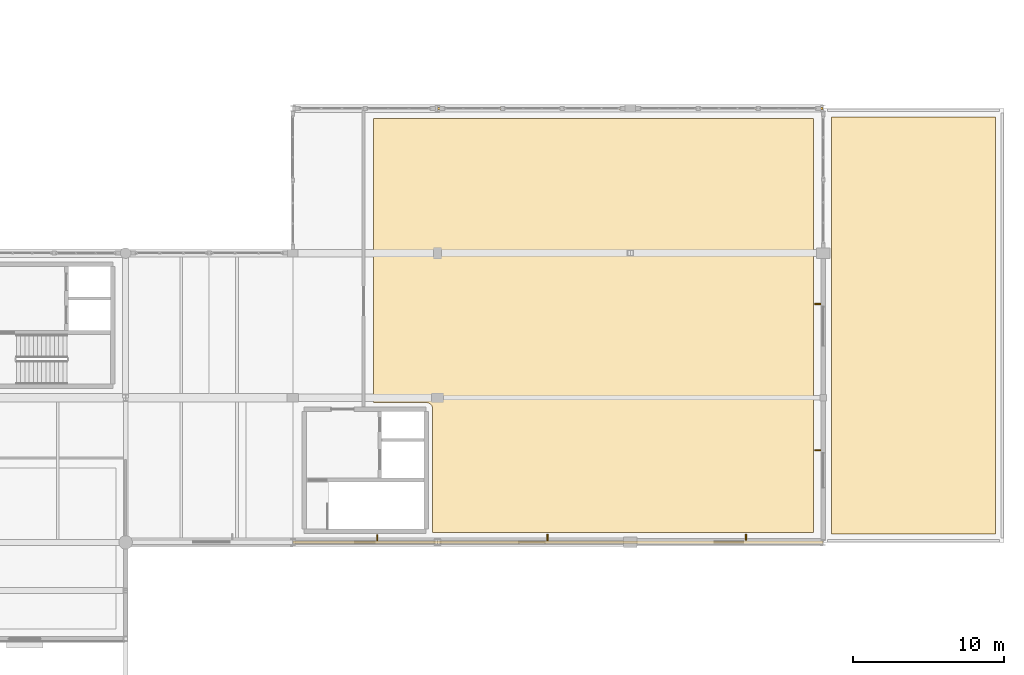
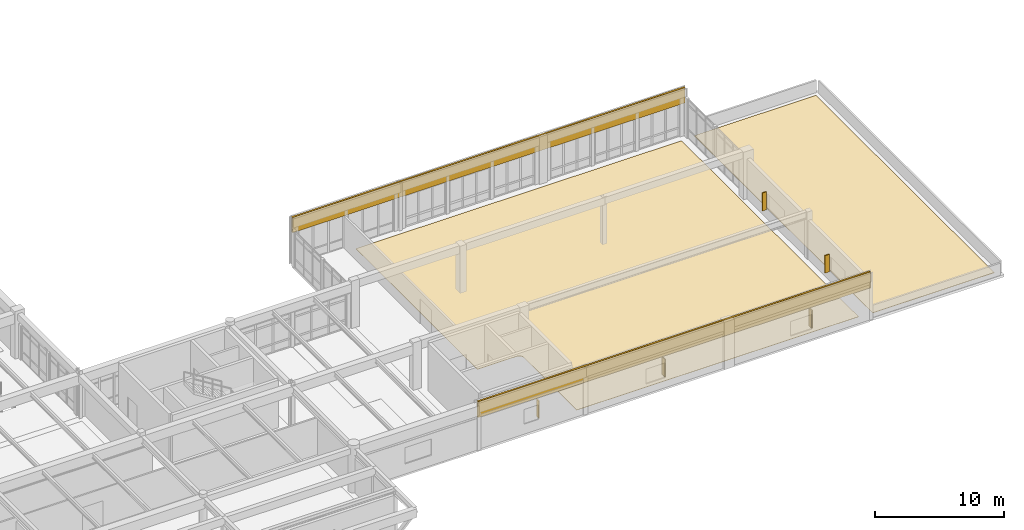
# One storey, part 79 of 80: 5 shading devices, 4 coverings.
"""IFC4 building model written with IfcOpenShell, lengths in metres."""

import ifcopenshell
import ifcopenshell.guid

model = None  # the IFC model being written
_history = None  # IfcOwnerHistory: only IFC2X3 demands one
_inside = {}  # id of a spatial element -> (the spatial element, [elements in it])
_under = {}  # id of a project, library or spatial element -> (it, [spatial elements below it])
_declared = {}  # id of a project -> (the project, [libraries it declares])
_typed = {}  # id of a type object -> (the type object, [elements of that type])
_made_of = {}  # id of a material, layer set ... -> (it, [elements and type objects made of it])


def new_model(schema):
    """Start an empty IFC model of exactly this schema.

    Asked for "IFC4X3", IfcOpenShell would pick the latest addendum, in which some entities
    have other attributes; the version numbers below select the first issue.
    IFC2X3 requires an IfcOwnerHistory on every rooted entity: one is made here for all.
    """
    global model, _history
    if schema == "IFC4X3":
        model = ifcopenshell.file(schema_version=(4, 3, 0, 0))
    else:
        model = ifcopenshell.file(schema=schema)
    _inside.clear()
    _under.clear()
    _declared.clear()
    _typed.clear()
    _made_of.clear()
    _history = None
    if model.schema == "IFC2X3":
        org = make("IfcOrganization", Name="unknown")
        user = make(
            "IfcPersonAndOrganization",
            ThePerson=make("IfcPerson", FamilyName="unknown"),
            TheOrganization=org,
        )
        app = make(
            "IfcApplication",
            ApplicationDeveloper=org,
            Version="unknown",
            ApplicationFullName="unknown",
            ApplicationIdentifier="unknown",
        )
        _history = make(
            "IfcOwnerHistory",
            OwningUser=user,
            OwningApplication=app,
            ChangeAction="ADDED",
            CreationDate=0,
        )
    return model


def make(cls, **values):
    """One entity of the class cls with the attributes given. An attribute that is None is left unset."""
    return model.create_entity(
        cls, **{name: value for name, value in values.items() if value is not None}
    )


def rooted(cls, **values):
    """An entity with a GlobalId (a new one), such as an element, a storey or a relation."""
    return make(cls, GlobalId=ifcopenshell.guid.new(), OwnerHistory=_history, **values)


def si_unit(unit_type, name, prefix=None):
    """IfcSIUnit, for example si_unit("LENGTHUNIT", "METRE", prefix="MILLI")."""
    return make("IfcSIUnit", UnitType=unit_type, Prefix=prefix, Name=name)


def assignment(units):
    """IfcUnitAssignment: the units of a project."""
    return None if units is None else make("IfcUnitAssignment", Units=units)


def point(xyz):
    """IfcCartesianPoint."""
    return None if xyz is None else make("IfcCartesianPoint", Coordinates=xyz)


def direction(xyz):
    """IfcDirection."""
    return None if xyz is None else make("IfcDirection", DirectionRatios=xyz)


def frame(location, z_axis=None, x_axis=None):
    """IfcAxis2Placement3D, a coordinate frame: its origin and axes. An axis left out is left unset."""
    return make(
        "IfcAxis2Placement3D",
        Location=point(location),
        Axis=direction(z_axis),
        RefDirection=direction(x_axis),
    )


def frame_2d(location, x_axis=None):
    """IfcAxis2Placement2D, a coordinate frame in the plane: its origin and x axis."""
    return make(
        "IfcAxis2Placement2D", Location=point(location), RefDirection=direction(x_axis)
    )


def origin():
    """The frame at (0, 0, 0) with its axes left unset."""
    return frame((0.0, 0.0, 0.0))


def origin_2d():
    """The frame at (0, 0) in the plane with its x axis left unset."""
    return frame_2d((0.0, 0.0))


def place(relative_to, where):
    """IfcLocalPlacement: puts the frame where relative to a parent placement (None: the world)."""
    return make(
        "IfcLocalPlacement", PlacementRelTo=relative_to, RelativePlacement=where
    )


def context(
    kind, dimensions, precision=None, world=None, true_north=None, identifier=None
):
    """IfcGeometricRepresentationContext, for example the 3D "Model" context."""
    return make(
        "IfcGeometricRepresentationContext",
        ContextIdentifier=identifier,
        ContextType=kind,
        CoordinateSpaceDimension=dimensions,
        Precision=precision,
        WorldCoordinateSystem=world,
        TrueNorth=true_north,
    )


def subcontext(parent, identifier, kind, view, scale=None):
    """IfcGeometricRepresentationSubContext, for example "Body" below "Model"."""
    return make(
        "IfcGeometricRepresentationSubContext",
        ContextIdentifier=identifier,
        ContextType=kind,
        ParentContext=parent,
        TargetScale=scale,
        TargetView=view,
    )


def project(units=None, contexts=None):
    """IfcProject with its units and contexts."""
    return rooted(
        "IfcProject",
        Name="project",
        RepresentationContexts=contexts,
        UnitsInContext=assignment(units),
    )


def spatial(cls, under=None, at=None, **own):
    """A site, building, storey or space (cls), placed at a placement, below another one or the project."""
    s = rooted(cls, ObjectPlacement=at, **own)
    if under is not None:
        _under.setdefault(under.id(), (under, []))[1].append(s)
    return s


def polyline(points):
    """IfcPolyline through the points."""
    return make("IfcPolyline", Points=[point(p) for p in points])


def profile(cls, at=None, kind="AREA", **sizes):
    """A parametric profile (cls). Its sizes go by their IFC names, for example OverallWidth=200.0."""
    return make(cls, ProfileType=kind, Position=at, **sizes)


def rectangle(**sizes):
    """IfcRectangleProfileDef."""
    return profile("IfcRectangleProfileDef", **sizes)


def outline(outer, holes=None, kind="AREA"):
    """IfcArbitraryClosedProfileDef: a profile drawn as a closed curve; with holes, ...WithVoids."""
    if holes is None:
        return make("IfcArbitraryClosedProfileDef", ProfileType=kind, OuterCurve=outer)
    return make(
        "IfcArbitraryProfileDefWithVoids",
        ProfileType=kind,
        OuterCurve=outer,
        InnerCurves=holes,
    )


def extrude(swept, where, along, depth):
    """IfcExtrudedAreaSolid: the profile swept, set in the frame where, extruded along a direction by depth."""
    return make(
        "IfcExtrudedAreaSolid",
        SweptArea=swept,
        Position=where,
        ExtrudedDirection=direction(along),
        Depth=depth,
    )


def shape(context_of_items, identifier, shape_type, items):
    """IfcShapeRepresentation: the items that make up one representation, for example the "Body"."""
    return make(
        "IfcShapeRepresentation",
        ContextOfItems=context_of_items,
        RepresentationIdentifier=identifier,
        RepresentationType=shape_type,
        Items=items,
    )


def material(Name=None, Category=None):
    """IfcMaterial."""
    return make("IfcMaterial", Name=Name, Category=Category)


def layer(
    of_material, thickness, ventilated=None, Name=None, Category=None, Priority=None
):
    """IfcMaterialLayer: one layer of a wall or slab, of a material (None: an air gap)."""
    return make(
        "IfcMaterialLayer",
        Material=of_material,
        LayerThickness=thickness,
        IsVentilated=ventilated,
        Name=Name,
        Category=Category,
        Priority=Priority,
    )


def layer_set(layers, Name=None):
    """IfcMaterialLayerSet."""
    return make("IfcMaterialLayerSet", MaterialLayers=layers, LayerSetName=Name)


def made_of(thing, what):
    """Note that an element or type object is made of a material, layer set ...; save() writes the relation."""
    if what is not None:
        _made_of.setdefault(what.id(), (what, []))[1].append(thing)
    return thing


def type_object(cls, material=None, **own):
    """A type object (cls), such as IfcWallType, which elements share."""
    return made_of(rooted(cls, **own), material)


def element(
    cls,
    number,
    at=None,
    inside=None,
    cuts=None,
    type_object=None,
    material=None,
    context=None,
    identifier="Body",
    shape_type=None,
    held_by="IfcProductDefinitionShape",
    body=None,
    shapes=None,
    **own,
):
    """One element of the class cls, such as IfcWall. Its Tag is "e" and its number.

    at: its placement. inside: the storey or other place that contains it. cuts: it is an
    opening in that element (IfcRelVoidsElement). A single representation is given by context,
    identifier, shape_type and body (its items); several are given by shapes. held_by: the class
    of the entity that holds the representations. save() writes the other relations.
    """
    e = rooted(cls, Tag="e%d" % number, ObjectPlacement=at, **own)
    if body is not None:
        shapes = [shape(context, identifier, shape_type, body)]
    if shapes is not None:
        e.Representation = make(held_by, Representations=shapes)
    if inside is not None:
        _inside.setdefault(inside.id(), (inside, []))[1].append(e)
    if cuts is not None:
        rooted(
            "IfcRelVoidsElement", RelatingBuildingElement=cuts, RelatedOpeningElement=e
        )
    if type_object is not None:
        _typed.setdefault(type_object.id(), (type_object, []))[1].append(e)
    return made_of(e, material)


def aggregate(whole, parts):
    """IfcRelAggregates: a whole, such as a stair, and the parts it consists of."""
    return rooted("IfcRelAggregates", RelatingObject=whole, RelatedObjects=parts)


def save(model, path):
    """Write the relations noted so far, then the file.

    IfcRelAggregates (storeys below a building ...), IfcRelContainedInSpatialStructure (elements
    in a storey), IfcRelDefinesByType, IfcRelAssociatesMaterial and IfcRelDeclares: one each for
    every whole, place, type object, material and project.
    """
    for whole, parts in _under.values():
        aggregate(whole, parts)
    for where, things in _inside.values():
        rooted(
            "IfcRelContainedInSpatialStructure",
            RelatedElements=things,
            RelatingStructure=where,
        )
    for kind, things in _typed.values():
        rooted("IfcRelDefinesByType", RelatedObjects=things, RelatingType=kind)
    for what, things in _made_of.values():
        rooted("IfcRelAssociatesMaterial", RelatedObjects=things, RelatingMaterial=what)
    for by, libraries in _declared.values():
        rooted("IfcRelDeclares", RelatingContext=by, RelatedDefinitions=libraries)
    model.write(path)


model = new_model("IFC4")

# Units and contexts
model_context = context("Model", 3, precision=1e-05, world=origin(), true_north=direction((0.0, 1.0)))
body_context = subcontext(model_context, "Body", "Model", "MODEL_VIEW")
ifc_project = project(units=[si_unit("LENGTHUNIT", "METRE"), si_unit("AREAUNIT", "SQUARE_METRE"), si_unit("VOLUMEUNIT", "CUBIC_METRE"), si_unit("PLANEANGLEUNIT", "RADIAN"), si_unit("MASSUNIT", "GRAM", prefix="KILO")], contexts=[model_context])

# Site, building, storey
site_placement = place(None, origin())
site = spatial("IfcSite", under=ifc_project, at=site_placement, CompositionType="ELEMENT")
building_placement = place(site_placement, origin())
building = spatial("IfcBuilding", under=site, at=building_placement, Name="Fikremerkos Civic Library", CompositionType="ELEMENT")
storey_placement = place(building_placement, frame((0.0, 0.0, 9.89990234375)))
storey = spatial("IfcBuildingStorey", under=building, at=storey_placement, Name="L02", CompositionType="ELEMENT", Elevation=9.89990234375)

# Covering
ifc_material_1 = material(Name="Polymer modified bitumen roofing")
ifc_layer_1 = layer(ifc_material_1, 0.034912109375, Name="Polymer modified bitumen roofing")
ifc_layer_set_1 = layer_set([ifc_layer_1], Name="Polymer modified bitumen roofing")
covering_type_1 = type_object("IfcCoveringType", Name="Insulated roof waterproofing membrane RFG-01", PredefinedType="ROOFING", material=ifc_layer_set_1)
covering_1_placement = place(storey_placement, origin())
element("IfcCovering", 1, at=covering_1_placement, inside=storey, type_object=covering_type_1, Name="Roof waterproofing membrane RFG-01 RF-L02-V3E", PredefinedType="ROOFING", context=body_context, shape_type="SweptSolid", body=[
    extrude(outline(polyline([(160.550048828125, 12.550048828125), (171.449951171875, 12.550048828125), (171.449951171875, 40.25), (160.550048828125, 40.25), (160.550048828125, 12.550048828125)])), origin(), (0.0, 0.0, 1.0), 0.03515625),
])

# Shading devices
ifc_material_2 = material(Name="Bronze anodized aluminium", Category="aluminium")
shading_device_type = type_object("IfcShadingDeviceType", Name="Perforated bronze vertical solar fin SHD-02", PredefinedType="USERDEFINED", material=ifc_material_2)
shading_device_placement = place(storey_placement, frame((159.639892578125, 27.8173828125, 0.8251953125), z_axis=(0.0, 0.0, 1.0), x_axis=(0.0, 1.0, 0.0)))
element("IfcShadingDevice", 2, at=shading_device_placement, inside=storey, type_object=shading_device_type, Name="Vertical bronze solar fin SHD-02 L02 #42", ObjectType="SOLAR FIN", PredefinedType="USERDEFINED", context=body_context, shape_type="SweptSolid", body=[
    extrude(rectangle(XDim=0.080078125, YDim=0.39990234375, at=origin_2d()), origin(), (0.0, 0.0, 1.0), 1.699951171875),
])
for number, where, z_axis, x_axis, name in (
    (3, (159.64990234375, 18.107421875, 0.8251953125), (0.0, 0.0, 1.0), (0.0, 1.0, 0.0), "Vertical bronze solar fin SHD-02 L02 #43"),
    (4, (154.8798828125, 12.340087890625, 0.8251953125), (0.0, 0.0, 1.0), (1.0, 0.0, 0.0), "Vertical bronze solar fin SHD-02 L02 #44"),
    (5, (141.705078125, 12.324951171875, 0.8251953125), (0.0, 0.0, 1.0), (1.0, 0.0, 0.0), "Vertical bronze solar fin SHD-02 L02 #45"),
    (6, (130.405029296875, 12.31005859375, 0.8251953125), (0.0, 0.0, 1.0), (1.0, 0.0, 0.0), "Vertical bronze solar fin SHD-02 L02 #46"),
):
    element("IfcShadingDevice", number, at=place(storey_placement, frame(where, z_axis=z_axis, x_axis=x_axis)), inside=storey, type_object=shading_device_type, Name=name, ObjectType="SOLAR FIN", PredefinedType="USERDEFINED", context=body_context, shape_type="SweptSolid", body=[
        extrude(rectangle(XDim=0.080078125, YDim=0.39990234375, at=origin_2d()), origin(), (0.0, 0.0, 1.0), 1.64990234375),
    ])

# Coverings
ifc_material_3 = material(Name="Polished basalt terrazzo", Category="masonry")
ifc_layer_2 = layer(ifc_material_3, 0.030029296875, Name="Polished basalt terrazzo")
ifc_layer_set_2 = layer_set([ifc_layer_2], Name="Polished basalt terrazzo")
covering_type_2 = type_object("IfcCoveringType", Name="Polished basalt terrazzo flooring FLR-01", PredefinedType="FLOORING", material=ifc_layer_set_2)
covering_2_placement = place(storey_placement, origin())
element("IfcCovering", 7, at=covering_2_placement, inside=storey, type_object=covering_type_2, Name="Terrazzo floor finish Temporary Exhibition Gallery", PredefinedType="FLOORING", context=body_context, shape_type="SweptSolid", body=[
    extrude(outline(polyline([(159.35009765625, 40.14990234375), (159.35009765625, 12.64990234375), (134.068115234375, 12.64990234375), (134.07470703125, 12.68310546875), (134.07568359375, 12.69091796875), (134.0791015625, 12.72509765625), (134.07958984375, 12.73291015625), (134.080078125, 12.75), (134.080078125, 20.85009765625), (134.07958984375, 20.8671875), (134.0791015625, 20.875), (134.07568359375, 20.9091796875), (134.07470703125, 20.9169921875), (134.068115234375, 20.95068359375), (134.066162109375, 20.958251953125), (134.05615234375, 20.9912109375), (134.053466796875, 20.99853515625), (134.040283203125, 21.0302734375), (134.036865234375, 21.037353515625), (134.020751953125, 21.067626953125), (134.0166015625, 21.074462890625), (133.99755859375, 21.102783203125), (133.992919921875, 21.109130859375), (133.97119140625, 21.1357421875), (133.9658203125, 21.1416015625), (133.941650390625, 21.166015625), (133.935791015625, 21.171142578125), (133.9091796875, 21.193115234375), (133.90283203125, 21.197509765625), (133.87451171875, 21.216796875), (133.86767578125, 21.220703125), (133.83740234375, 21.23681640625), (133.830322265625, 21.240234375), (133.798583984375, 21.25341796875), (133.791015625, 21.256103515625), (133.75830078125, 21.26611328125), (133.750732421875, 21.26806640625), (133.717041015625, 21.274658203125), (133.709228515625, 21.27587890625), (133.675048828125, 21.279296875), (133.667236328125, 21.279541015625), (133.64990234375, 21.280029296875), (130.14990234375, 21.280029296875), (130.14990234375, 40.14990234375), (159.35009765625, 40.14990234375)])), origin(), (0.0, 0.0, 1.0), 0.030029296875),
])
ifc_material_4 = material(Name="Precast basalt cladding panel", Category="masonry")
ifc_layer_3 = layer(ifc_material_4, 0.159912109375, Name="Precast basalt cladding panel")
ifc_layer_set_3 = layer_set([ifc_layer_3], Name="Precast basalt cladding panel")
covering_type_3 = type_object("IfcCoveringType", Name="Precast basalt cladding panel CLD-02", PredefinedType="CLADDING", material=ifc_layer_set_3)
covering_3_placement = place(storey_placement, frame((124.800048828125, 12.0, 2.989990234375), z_axis=(0.0, 0.0, 1.0), x_axis=(1.0, 0.0, 0.0)))
element("IfcCovering", 8, at=covering_3_placement, inside=storey, type_object=covering_type_3, Name="Auditorium south eave spandrel closure CLD-02", PredefinedType="CLADDING", context=body_context, shape_type="SweptSolid", body=[
    extrude(rectangle(XDim=35.199951171875, YDim=0.159912109375, at=frame_2d((17.60009765625, 0.0))), origin(), (0.0, 0.0, 1.0), 1.510009765625),
])
covering_4_placement = place(storey_placement, frame((124.800048828125, 40.800048828125, 3.0400390625), z_axis=(0.0, 0.0, 1.0), x_axis=(1.0, 0.0, 0.0)))
element("IfcCovering", 9, at=covering_4_placement, inside=storey, type_object=covering_type_3, Name="Auditorium north eave spandrel closure CLD-02", PredefinedType="CLADDING", context=body_context, shape_type="SweptSolid", body=[
    extrude(rectangle(XDim=35.199951171875, YDim=0.159912109375, at=frame_2d((17.60009765625, 0.0))), origin(), (0.0, 0.0, 1.0), 1.4599609375),
])

save(model, "model.ifc")
